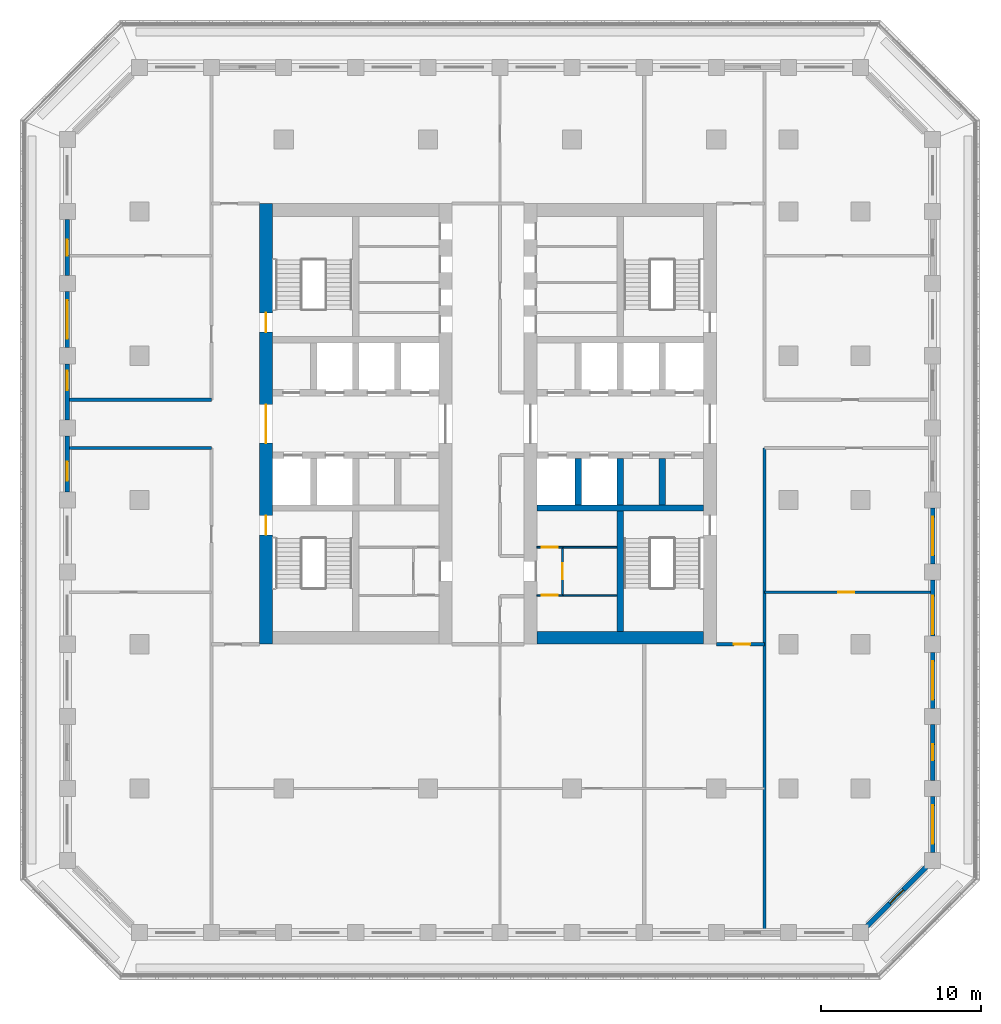
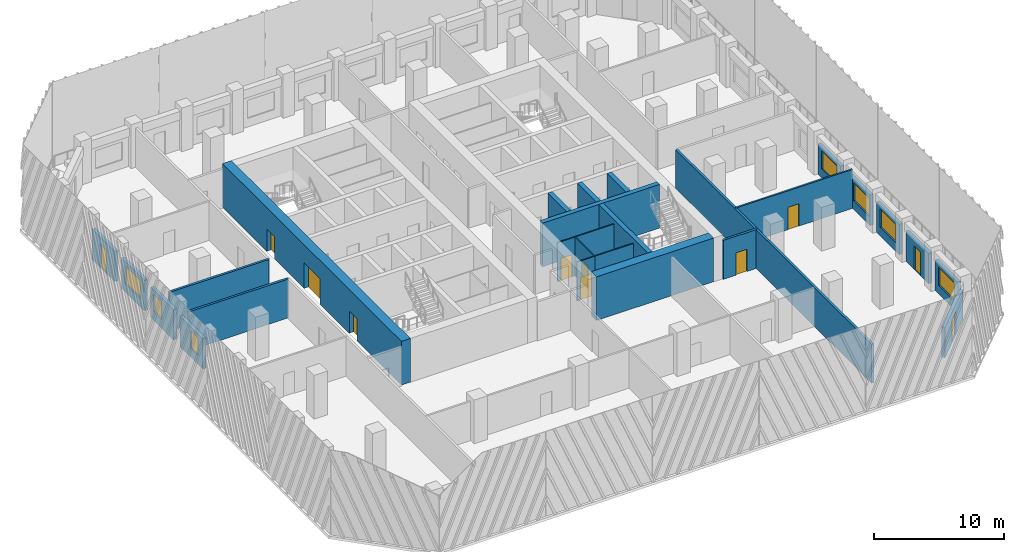
# One storey, part 4 of 16: 27 walls, 11 doors, 7 windows, 18 openings.
"""IFC4 building model written with IfcOpenShell, lengths in metres."""

import ifcopenshell
import ifcopenshell.guid

model = None  # the IFC model being written
_history = None  # IfcOwnerHistory: only IFC2X3 demands one
_inside = {}  # id of a spatial element -> (the spatial element, [elements in it])
_under = {}  # id of a project, library or spatial element -> (it, [spatial elements below it])
_declared = {}  # id of a project -> (the project, [libraries it declares])
_typed = {}  # id of a type object -> (the type object, [elements of that type])
_made_of = {}  # id of a material, layer set ... -> (it, [elements and type objects made of it])


def new_model(schema):
    """Start an empty IFC model of exactly this schema.

    Asked for "IFC4X3", IfcOpenShell would pick the latest addendum, in which some entities
    have other attributes; the version numbers below select the first issue.
    IFC2X3 requires an IfcOwnerHistory on every rooted entity: one is made here for all.
    """
    global model, _history
    if schema == "IFC4X3":
        model = ifcopenshell.file(schema_version=(4, 3, 0, 0))
    else:
        model = ifcopenshell.file(schema=schema)
    _inside.clear()
    _under.clear()
    _declared.clear()
    _typed.clear()
    _made_of.clear()
    _history = None
    if model.schema == "IFC2X3":
        org = make("IfcOrganization", Name="unknown")
        user = make(
            "IfcPersonAndOrganization",
            ThePerson=make("IfcPerson", FamilyName="unknown"),
            TheOrganization=org,
        )
        app = make(
            "IfcApplication",
            ApplicationDeveloper=org,
            Version="unknown",
            ApplicationFullName="unknown",
            ApplicationIdentifier="unknown",
        )
        _history = make(
            "IfcOwnerHistory",
            OwningUser=user,
            OwningApplication=app,
            ChangeAction="ADDED",
            CreationDate=0,
        )
    return model


def make(cls, **values):
    """One entity of the class cls with the attributes given. An attribute that is None is left unset."""
    return model.create_entity(
        cls, **{name: value for name, value in values.items() if value is not None}
    )


def rooted(cls, **values):
    """An entity with a GlobalId (a new one), such as an element, a storey or a relation."""
    return make(cls, GlobalId=ifcopenshell.guid.new(), OwnerHistory=_history, **values)


def si_unit(unit_type, name, prefix=None):
    """IfcSIUnit, for example si_unit("LENGTHUNIT", "METRE", prefix="MILLI")."""
    return make("IfcSIUnit", UnitType=unit_type, Prefix=prefix, Name=name)


def assignment(units):
    """IfcUnitAssignment: the units of a project."""
    return None if units is None else make("IfcUnitAssignment", Units=units)


def point(xyz):
    """IfcCartesianPoint."""
    return None if xyz is None else make("IfcCartesianPoint", Coordinates=xyz)


def direction(xyz):
    """IfcDirection."""
    return None if xyz is None else make("IfcDirection", DirectionRatios=xyz)


def frame(location, z_axis=None, x_axis=None):
    """IfcAxis2Placement3D, a coordinate frame: its origin and axes. An axis left out is left unset."""
    return make(
        "IfcAxis2Placement3D",
        Location=point(location),
        Axis=direction(z_axis),
        RefDirection=direction(x_axis),
    )


def frame_2d(location, x_axis=None):
    """IfcAxis2Placement2D, a coordinate frame in the plane: its origin and x axis."""
    return make(
        "IfcAxis2Placement2D", Location=point(location), RefDirection=direction(x_axis)
    )


def origin():
    """The frame at (0, 0, 0) with its axes left unset."""
    return frame((0.0, 0.0, 0.0))


def place(relative_to, where):
    """IfcLocalPlacement: puts the frame where relative to a parent placement (None: the world)."""
    return make(
        "IfcLocalPlacement", PlacementRelTo=relative_to, RelativePlacement=where
    )


def context(
    kind, dimensions, precision=None, world=None, true_north=None, identifier=None
):
    """IfcGeometricRepresentationContext, for example the 3D "Model" context."""
    return make(
        "IfcGeometricRepresentationContext",
        ContextIdentifier=identifier,
        ContextType=kind,
        CoordinateSpaceDimension=dimensions,
        Precision=precision,
        WorldCoordinateSystem=world,
        TrueNorth=true_north,
    )


def subcontext(parent, identifier, kind, view, scale=None):
    """IfcGeometricRepresentationSubContext, for example "Body" below "Model"."""
    return make(
        "IfcGeometricRepresentationSubContext",
        ContextIdentifier=identifier,
        ContextType=kind,
        ParentContext=parent,
        TargetScale=scale,
        TargetView=view,
    )


def project(units=None, contexts=None):
    """IfcProject with its units and contexts."""
    return rooted(
        "IfcProject",
        Name="project",
        RepresentationContexts=contexts,
        UnitsInContext=assignment(units),
    )


def spatial(cls, under=None, at=None, **own):
    """A site, building, storey or space (cls), placed at a placement, below another one or the project."""
    s = rooted(cls, ObjectPlacement=at, **own)
    if under is not None:
        _under.setdefault(under.id(), (under, []))[1].append(s)
    return s


def profile(cls, at=None, kind="AREA", **sizes):
    """A parametric profile (cls). Its sizes go by their IFC names, for example OverallWidth=200.0."""
    return make(cls, ProfileType=kind, Position=at, **sizes)


def rectangle(**sizes):
    """IfcRectangleProfileDef."""
    return profile("IfcRectangleProfileDef", **sizes)


def extrude(swept, where, along, depth):
    """IfcExtrudedAreaSolid: the profile swept, set in the frame where, extruded along a direction by depth."""
    return make(
        "IfcExtrudedAreaSolid",
        SweptArea=swept,
        Position=where,
        ExtrudedDirection=direction(along),
        Depth=depth,
    )


def shape(context_of_items, identifier, shape_type, items):
    """IfcShapeRepresentation: the items that make up one representation, for example the "Body"."""
    return make(
        "IfcShapeRepresentation",
        ContextOfItems=context_of_items,
        RepresentationIdentifier=identifier,
        RepresentationType=shape_type,
        Items=items,
    )


def material(Name=None, Category=None):
    """IfcMaterial."""
    return make("IfcMaterial", Name=Name, Category=Category)


def layer(
    of_material, thickness, ventilated=None, Name=None, Category=None, Priority=None
):
    """IfcMaterialLayer: one layer of a wall or slab, of a material (None: an air gap)."""
    return make(
        "IfcMaterialLayer",
        Material=of_material,
        LayerThickness=thickness,
        IsVentilated=ventilated,
        Name=Name,
        Category=Category,
        Priority=Priority,
    )


def layer_set(layers, Name=None):
    """IfcMaterialLayerSet."""
    return make("IfcMaterialLayerSet", MaterialLayers=layers, LayerSetName=Name)


def made_of(thing, what):
    """Note that an element or type object is made of a material, layer set ...; save() writes the relation."""
    if what is not None:
        _made_of.setdefault(what.id(), (what, []))[1].append(thing)
    return thing


def type_object(cls, material=None, **own):
    """A type object (cls), such as IfcWallType, which elements share."""
    return made_of(rooted(cls, **own), material)


def element(
    cls,
    number,
    at=None,
    inside=None,
    cuts=None,
    type_object=None,
    material=None,
    context=None,
    identifier="Body",
    shape_type=None,
    held_by="IfcProductDefinitionShape",
    body=None,
    shapes=None,
    **own,
):
    """One element of the class cls, such as IfcWall. Its Tag is "e" and its number.

    at: its placement. inside: the storey or other place that contains it. cuts: it is an
    opening in that element (IfcRelVoidsElement). A single representation is given by context,
    identifier, shape_type and body (its items); several are given by shapes. held_by: the class
    of the entity that holds the representations. save() writes the other relations.
    """
    e = rooted(cls, Tag="e%d" % number, ObjectPlacement=at, **own)
    if body is not None:
        shapes = [shape(context, identifier, shape_type, body)]
    if shapes is not None:
        e.Representation = make(held_by, Representations=shapes)
    if inside is not None:
        _inside.setdefault(inside.id(), (inside, []))[1].append(e)
    if cuts is not None:
        rooted(
            "IfcRelVoidsElement", RelatingBuildingElement=cuts, RelatedOpeningElement=e
        )
    if type_object is not None:
        _typed.setdefault(type_object.id(), (type_object, []))[1].append(e)
    return made_of(e, material)


def fill(opening, filler):
    """IfcRelFillsElement: the door or window that sits in an opening."""
    return rooted(
        "IfcRelFillsElement",
        RelatingOpeningElement=opening,
        RelatedBuildingElement=filler,
    )


def aggregate(whole, parts):
    """IfcRelAggregates: a whole, such as a stair, and the parts it consists of."""
    return rooted("IfcRelAggregates", RelatingObject=whole, RelatedObjects=parts)


def save(model, path):
    """Write the relations noted so far, then the file.

    IfcRelAggregates (storeys below a building ...), IfcRelContainedInSpatialStructure (elements
    in a storey), IfcRelDefinesByType, IfcRelAssociatesMaterial and IfcRelDeclares: one each for
    every whole, place, type object, material and project.
    """
    for whole, parts in _under.values():
        aggregate(whole, parts)
    for where, things in _inside.values():
        rooted(
            "IfcRelContainedInSpatialStructure",
            RelatedElements=things,
            RelatingStructure=where,
        )
    for kind, things in _typed.values():
        rooted("IfcRelDefinesByType", RelatedObjects=things, RelatingType=kind)
    for what, things in _made_of.values():
        rooted("IfcRelAssociatesMaterial", RelatedObjects=things, RelatingMaterial=what)
    for by, libraries in _declared.values():
        rooted("IfcRelDeclares", RelatingContext=by, RelatedDefinitions=libraries)
    model.write(path)


model = new_model("IFC4")

# Units and contexts
model_context = context("Model", 3, precision=1e-05, world=origin(), true_north=direction((0.0, 1.0)))
body_context = subcontext(model_context, "Body", "Model", "MODEL_VIEW")
ifc_project = project(units=[si_unit("LENGTHUNIT", "METRE"), si_unit("AREAUNIT", "SQUARE_METRE"), si_unit("VOLUMEUNIT", "CUBIC_METRE"), si_unit("PLANEANGLEUNIT", "RADIAN"), si_unit("MASSUNIT", "GRAM", prefix="KILO")], contexts=[model_context])

# Site, building, storey
site_placement = place(None, origin())
site = spatial("IfcSite", under=ifc_project, at=site_placement, CompositionType="ELEMENT")
building_placement = place(site_placement, origin())
building = spatial("IfcBuilding", under=site, at=building_placement, Name="Corbel Stack Research Tower", CompositionType="ELEMENT")
storey_placement = place(building_placement, frame((0.0, 0.0, 199.699951171875)))
storey = spatial("IfcBuildingStorey", under=building, at=storey_placement, Name="L45", CompositionType="ELEMENT", Elevation=199.699951171875)

# Walls
ifc_material_1 = material(Name="Concrete C60/75", Category="concrete")
ifc_layer_1 = layer(ifc_material_1, 0.39990234375)
ifc_layer_set_1 = layer_set([ifc_layer_1], Name="Concrete C60/75")
wall_type_1 = type_object("IfcWallType", Name="CW-400-60", PredefinedType="SHEAR", material=ifc_layer_set_1)
wall_1_placement = place(storey_placement, frame((6.800048828125, -0.5, 0.0), z_axis=(0.0, 0.0, 1.0), x_axis=(1.0, 0.0, 0.0)))
element("IfcWall", 1, at=wall_1_placement, inside=storey, type_object=wall_type_1, Name="East core wall, south row back L45", PredefinedType="SHEAR", context=body_context, shape_type="SweptSolid", body=[
    extrude(rectangle(XDim=10.39990234375, YDim=0.39990234375, at=frame_2d((5.199951171875, 0.0))), origin(), (0.0, 0.0, 1.0), 4.10009765625),
])
for number, where, z_axis, x_axis, name in (
    (2, (9.375, -0.300048828125, 0.0), (0.0, 0.0, 1.0), (0.0, 1.0, 0.0), "East core wall, south shaft 1 L45"),
    (3, (12.0, -0.300048828125, 0.0), (0.0, 0.0, 1.0), (0.0, 1.0, 0.0), "East core wall, south shaft 2 L45"),
    (4, (14.625, -0.300048828125, 0.0), (0.0, 0.0, 1.0), (0.0, 1.0, 0.0), "East core wall, south shaft 3 L45"),
):
    element("IfcWall", number, at=place(storey_placement, frame(where, z_axis=z_axis, x_axis=x_axis)), inside=storey, type_object=wall_type_1, Name=name, PredefinedType="SHEAR", context=body_context, shape_type="SweptSolid", body=[
        extrude(rectangle(XDim=2.900146484375, YDim=0.39990234375, at=frame_2d((1.4501953125, 0.0))), origin(), (0.0, 0.0, 1.0), 4.10009765625),
    ])
wall_2_placement = place(storey_placement, frame((12.0, -8.199951171875, 0.0), z_axis=(0.0, 0.0, 1.0), x_axis=(0.0, 1.0, 0.0)))
element("IfcWall", 5, at=wall_2_placement, inside=storey, type_object=wall_type_1, Name="East core wall, south stair and WC L45", PredefinedType="SHEAR", context=body_context, shape_type="SweptSolid", body=[
    extrude(rectangle(XDim=7.5, YDim=0.39990234375, at=frame_2d((3.75, 0.0))), origin(), (0.0, 0.0, 1.0), 4.10009765625),
])

# Wall, openings, doors
ifc_material_2 = material(Name="Concrete C60/75", Category="concrete")
ifc_layer_2 = layer(ifc_material_2, 0.800048828125)
ifc_layer_set_2 = layer_set([ifc_layer_2], Name="Concrete C60/75")
wall_type_2 = type_object("IfcWallType", Name="CW-800-60", PredefinedType="SHEAR", material=ifc_layer_set_2)
wall_3_placement = place(storey_placement, frame((-10.10009765625, -9.0, 0.0), z_axis=(0.0, 0.0, 1.0), x_axis=(0.0, 1.0, 0.0)))
wall_3 = element("IfcWall", 6, at=wall_3_placement, inside=storey, type_object=wall_type_2, Name="West core wall, west face L45", PredefinedType="SHEAR", context=body_context, shape_type="SweptSolid", body=[
    extrude(rectangle(XDim=27.5, YDim=0.800048828125, at=frame_2d((13.75, 0.0))), origin(), (0.0, 0.0, 1.0), 4.10009765625),
])
opening_1_placement = place(wall_3_placement, frame((12.550048828125, 0.0, 0.0)))
opening_1 = element("IfcOpeningElement", 7, at=opening_1_placement, cuts=wall_3, Name="Opening CD-W-W", PredefinedType="OPENING", context=body_context, shape_type="SweptSolid", body=[
    extrude(rectangle(XDim=2.39990234375, YDim=2.39990234375, at=frame_2d((1.199951171875, 1.199951171875))), frame((0.0, 0.409912109375, 0.0), z_axis=(0.0, -1.0, 0.0), x_axis=(1.0, 0.0, 0.0)), (0.0, 0.0, 1.0), 0.820068359375),
])
opening_2_placement = place(wall_3_placement, frame((6.824951171875, 0.0, 0.0)))
opening_2 = element("IfcOpeningElement", 8, at=opening_2_placement, cuts=wall_3, Name="Opening SD-ST-W1", PredefinedType="OPENING", context=body_context, shape_type="SweptSolid", body=[
    extrude(rectangle(XDim=1.199951171875, YDim=2.10009765625, at=frame_2d((0.60009765625, 1.050048828125))), frame((0.0, 0.409912109375, 0.0), z_axis=(0.0, -1.0, 0.0), x_axis=(1.0, 0.0, 0.0)), (0.0, 0.0, 1.0), 0.820068359375),
])
opening_3_placement = place(wall_3_placement, frame((19.47509765625, 0.0, 0.0)))
opening_3 = element("IfcOpeningElement", 9, at=opening_3_placement, cuts=wall_3, Name="Opening SD-ST-W2", PredefinedType="OPENING", context=body_context, shape_type="SweptSolid", body=[
    extrude(rectangle(XDim=1.199951171875, YDim=2.10009765625, at=frame_2d((0.60009765625, 1.050048828125))), frame((0.0, 0.409912109375, 0.0), z_axis=(0.0, -1.0, 0.0), x_axis=(1.0, 0.0, 0.0)), (0.0, 0.0, 1.0), 0.820068359375),
])
ifc_material_3 = material(Name="Painted steel fire door", Category="steel")
door_type_1 = type_object("IfcDoorType", Name="Lobby door pair 2400 x 2400 FD30S", OperationType="DOUBLE_DOOR_DOUBLE_SWING", PredefinedType="DOOR", material=ifc_material_3)
door_1_placement = place(opening_1_placement, origin())
door_1 = element("IfcDoor", 10, at=door_1_placement, inside=storey, type_object=door_type_1, Name="Lift lobby door W core W", OperationType="DOUBLE_DOOR_DOUBLE_SWING", OverallHeight=2.39990234375, OverallWidth=2.39990234375, PredefinedType="DOOR", context=body_context, shape_type="SweptSolid", body=[
    extrude(rectangle(XDim=2.39990234375, YDim=2.39990234375, at=frame_2d((1.199951171875, 1.199951171875))), frame((0.0, 0.02490234375, 0.0), z_axis=(0.0, -1.0, 0.0), x_axis=(1.0, 0.0, 0.0)), (0.0, 0.0, 1.0), 0.050048828125),
])
fill(opening_1, door_1)
ifc_material_4 = material(Name="Painted steel fire door", Category="steel")
door_type_2 = type_object("IfcDoorType", Name="Stair door 1200 x 2100 FD90 left hand", OperationType="SINGLE_SWING_LEFT", PredefinedType="DOOR", material=ifc_material_4)
door_2_placement = place(opening_2_placement, origin())
door_2 = element("IfcDoor", 11, at=door_2_placement, inside=storey, type_object=door_type_2, Name="Stair door ST-W1", OperationType="SINGLE_SWING_LEFT", OverallHeight=2.10009765625, OverallWidth=1.199951171875, PredefinedType="DOOR", context=body_context, shape_type="SweptSolid", body=[
    extrude(rectangle(XDim=1.199951171875, YDim=2.10009765625, at=frame_2d((0.60009765625, 1.050048828125))), frame((0.0, 0.02490234375, 0.0), z_axis=(0.0, -1.0, 0.0), x_axis=(1.0, 0.0, 0.0)), (0.0, 0.0, 1.0), 0.050048828125),
])
fill(opening_2, door_2)
door_3_placement = place(opening_3_placement, origin())
door_3 = element("IfcDoor", 12, at=door_3_placement, inside=storey, type_object=door_type_2, Name="Stair door ST-W2", OperationType="SINGLE_SWING_LEFT", OverallHeight=2.10009765625, OverallWidth=1.199951171875, PredefinedType="DOOR", context=body_context, shape_type="SweptSolid", body=[
    extrude(rectangle(XDim=1.199951171875, YDim=2.10009765625, at=frame_2d((0.60009765625, 1.050048828125))), frame((0.0, 0.02490234375, 0.0), z_axis=(0.0, -1.0, 0.0), x_axis=(1.0, 0.0, 0.0)), (0.0, 0.0, 1.0), 0.050048828125),
])
fill(opening_3, door_3)

# Wall
wall_4_placement = place(storey_placement, frame((6.800048828125, -8.60009765625, 0.0), z_axis=(0.0, 0.0, 1.0), x_axis=(1.0, 0.0, 0.0)))
element("IfcWall", 13, at=wall_4_placement, inside=storey, type_object=wall_type_2, Name="East core wall, south end L45", PredefinedType="SHEAR", context=body_context, shape_type="SweptSolid", body=[
    extrude(rectangle(XDim=10.39990234375, YDim=0.800048828125, at=frame_2d((5.199951171875, 0.0))), origin(), (0.0, 0.0, 1.0), 4.10009765625),
])

# Wall, opening, door
ifc_material_5 = material(Name="Gypsum board")
ifc_layer_3 = layer(ifc_material_5, 0.10009765625)
ifc_layer_set_3 = layer_set([ifc_layer_3], Name="Gypsum board")
wall_type_3 = type_object("IfcWallType", Name="Core partition 100", PredefinedType="PARTITIONING", material=ifc_layer_set_3)
wall_5_placement = place(storey_placement, frame((6.800048828125, -5.949951171875, 0.0), z_axis=(0.0, 0.0, 1.0), x_axis=(1.0, 0.0, 0.0)))
wall_5 = element("IfcWall", 14, at=wall_5_placement, inside=storey, type_object=wall_type_3, Name="Core partition E", PredefinedType="PARTITIONING", context=body_context, shape_type="SweptSolid", body=[
    extrude(rectangle(XDim=1.599853515625, YDim=0.10009765625, at=frame_2d((0.7998046875, 0.0))), origin(), (0.0, 0.0, 1.0), 3.650146484375),
])
opening_4_placement = place(wall_5_placement, frame((0.300048828125, 0.0, 0.0)))
opening_4 = element("IfcOpeningElement", 15, at=opening_4_placement, cuts=wall_5, Name="Opening CR-E36-W2-1000", PredefinedType="OPENING", context=body_context, shape_type="SweptSolid", body=[
    extrude(rectangle(XDim=1.0, YDim=2.10009765625, at=frame_2d((0.5, 1.050048828125))), frame((0.0, 0.06005859375, 0.0), z_axis=(0.0, -1.0, 0.0), x_axis=(1.0, 0.0, 0.0)), (0.0, 0.0, 1.0), 0.1201171875),
])
ifc_material_6 = material(Name="Painted timber door", Category="wood")
door_type_3 = type_object("IfcDoorType", Name="WC door 1000 x 2100 left hand", OperationType="SINGLE_SWING_LEFT", PredefinedType="DOOR", material=ifc_material_6)
door_4_placement = place(opening_4_placement, origin())
door_4 = element("IfcDoor", 16, at=door_4_placement, inside=storey, type_object=door_type_3, Name="Men's WC door E core", OperationType="SINGLE_SWING_LEFT", OverallHeight=2.10009765625, OverallWidth=1.0, PredefinedType="DOOR", context=body_context, shape_type="SweptSolid", body=[
    extrude(rectangle(XDim=1.0, YDim=2.10009765625, at=frame_2d((0.5, 1.050048828125))), frame((0.0, 0.02490234375, 0.0), z_axis=(0.0, -1.0, 0.0), x_axis=(1.0, 0.0, 0.0)), (0.0, 0.0, 1.0), 0.050048828125),
])
fill(opening_4, door_4)

wall_6_placement = place(storey_placement, frame((6.800048828125, -2.949951171875, 0.0), z_axis=(0.0, 0.0, 1.0), x_axis=(1.0, 0.0, 0.0)))
wall_6 = element("IfcWall", 17, at=wall_6_placement, inside=storey, type_object=wall_type_3, Name="Core partition E", PredefinedType="PARTITIONING", context=body_context, shape_type="SweptSolid", body=[
    extrude(rectangle(XDim=1.599853515625, YDim=0.10009765625, at=frame_2d((0.7998046875, 0.0))), origin(), (0.0, 0.0, 1.0), 3.650146484375),
])
opening_5_placement = place(wall_6_placement, frame((0.300048828125, 0.0, 0.0)))
opening_5 = element("IfcOpeningElement", 18, at=opening_5_placement, cuts=wall_6, Name="Opening CR-E36-W3-1000", PredefinedType="OPENING", context=body_context, shape_type="SweptSolid", body=[
    extrude(rectangle(XDim=1.0, YDim=2.10009765625, at=frame_2d((0.5, 1.050048828125))), frame((0.0, 0.06005859375, 0.0), z_axis=(0.0, -1.0, 0.0), x_axis=(1.0, 0.0, 0.0)), (0.0, 0.0, 1.0), 0.1201171875),
])
ifc_material_7 = material(Name="Painted timber door", Category="wood")
door_type_4 = type_object("IfcDoorType", Name="WC door 1000 x 2100 right hand", OperationType="SINGLE_SWING_RIGHT", PredefinedType="DOOR", material=ifc_material_7)
door_5_placement = place(opening_5_placement, origin())
door_5 = element("IfcDoor", 19, at=door_5_placement, inside=storey, type_object=door_type_4, Name="Women's WC door E core", OperationType="SINGLE_SWING_RIGHT", OverallHeight=2.10009765625, OverallWidth=1.0, PredefinedType="DOOR", context=body_context, shape_type="SweptSolid", body=[
    extrude(rectangle(XDim=1.0, YDim=2.10009765625, at=frame_2d((0.5, 1.050048828125))), frame((0.0, 0.02490234375, 0.0), z_axis=(0.0, -1.0, 0.0), x_axis=(1.0, 0.0, 0.0)), (0.0, 0.0, 1.0), 0.050048828125),
])
fill(opening_5, door_5)

wall_7_placement = place(storey_placement, frame((8.39990234375, -5.949951171875, 0.0), z_axis=(0.0, 0.0, 1.0), x_axis=(0.0, 1.0, 0.0)))
wall_7 = element("IfcWall", 20, at=wall_7_placement, inside=storey, type_object=wall_type_3, Name="Core partition E", PredefinedType="PARTITIONING", context=body_context, shape_type="SweptSolid", body=[
    extrude(rectangle(XDim=3.0, YDim=0.10009765625, at=frame_2d((1.5, 0.0))), origin(), (0.0, 0.0, 1.0), 3.650146484375),
])
opening_6_placement = place(wall_7_placement, frame((1.0, 0.0, 0.0)))
opening_6 = element("IfcOpeningElement", 21, at=opening_6_placement, cuts=wall_7, Name="Opening CR-E36-W4-1000", PredefinedType="OPENING", context=body_context, shape_type="SweptSolid", body=[
    extrude(rectangle(XDim=1.0, YDim=2.10009765625, at=frame_2d((0.5, 1.050048828125))), frame((0.0, 0.06005859375, 0.0), z_axis=(0.0, -1.0, 0.0), x_axis=(1.0, 0.0, 0.0)), (0.0, 0.0, 1.0), 0.1201171875),
])
door_6_placement = place(opening_6_placement, origin())
door_6 = element("IfcDoor", 22, at=door_6_placement, inside=storey, type_object=door_type_3, Name="Accessible WC door E core", OperationType="SINGLE_SWING_LEFT", OverallHeight=2.10009765625, OverallWidth=1.0, PredefinedType="DOOR", context=body_context, shape_type="SweptSolid", body=[
    extrude(rectangle(XDim=1.0, YDim=2.10009765625, at=frame_2d((0.5, 1.050048828125))), frame((0.0, 0.02490234375, 0.0), z_axis=(0.0, -1.0, 0.0), x_axis=(1.0, 0.0, 0.0)), (0.0, 0.0, 1.0), 0.050048828125),
])
fill(opening_6, door_6)

# Walls
for number, where, z_axis, x_axis, name in (
    (23, (8.39990234375, -5.949951171875, 0.0), (0.0, 0.0, 1.0), (1.0, 0.0, 0.0), "Core partition E"),
    (24, (8.39990234375, -2.949951171875, 0.0), (0.0, 0.0, 1.0), (1.0, 0.0, 0.0), "Core partition E"),
):
    element("IfcWall", number, at=place(storey_placement, frame(where, z_axis=z_axis, x_axis=x_axis)), inside=storey, type_object=wall_type_3, Name=name, PredefinedType="PARTITIONING", context=body_context, shape_type="SweptSolid", body=[
        extrude(rectangle(XDim=3.400146484375, YDim=0.10009765625, at=frame_2d((1.7001953125, 0.0))), origin(), (0.0, 0.0, 1.0), 3.650146484375),
    ])
ifc_material_8 = material(Name="Fire-rated gypsum board partition on steel studs", Category="steel")
ifc_layer_4 = layer(ifc_material_8, 0.199951171875)
ifc_layer_set_4 = layer_set([ifc_layer_4], Name="Fire-rated gypsum board partition on steel studs")
wall_type_4 = type_object("IfcWallType", Name="Fire-rated partition 200 EI 60", PredefinedType="PARTITIONING", material=ifc_layer_set_4)
wall_8_placement = place(storey_placement, frame((21.0, -26.85009765625, 0.0), z_axis=(0.0, 0.0, 1.0), x_axis=(0.0, 1.0, 0.0)))
element("IfcWall", 25, at=wall_8_placement, inside=storey, type_object=wall_type_4, Name="Partition L45-010", PredefinedType="PARTITIONING", context=body_context, shape_type="SweptSolid", body=[
    extrude(rectangle(XDim=30.10009765625, YDim=0.199951171875, at=frame_2d((15.050048828125, 0.0))), origin(), (0.0, 0.0, 1.0), 3.650146484375),
])

# Wall, opening, door
wall_9_placement = place(storey_placement, frame((21.0, -9.0, 0.0), z_axis=(0.0, 0.0, 1.0), x_axis=(-1.0, 0.0, 0.0)))
wall_9 = element("IfcWall", 26, at=wall_9_placement, inside=storey, type_object=wall_type_4, Name="Partition L45-019", PredefinedType="PARTITIONING", context=body_context, shape_type="SweptSolid", body=[
    extrude(rectangle(XDim=3.0, YDim=0.199951171875, at=frame_2d((1.5, 0.0))), origin(), (0.0, 0.0, 1.0), 3.650146484375),
])
opening_7_placement = place(wall_9_placement, frame((0.89990234375, 0.0, 0.0)))
opening_7 = element("IfcOpeningElement", 27, at=opening_7_placement, cuts=wall_9, Name="Opening B6V0-007", PredefinedType="OPENING", context=body_context, shape_type="SweptSolid", body=[
    extrude(rectangle(XDim=1.0, YDim=2.10009765625, at=frame_2d((0.5, 1.050048828125))), frame((0.0, 0.10986328125, 0.0), z_axis=(0.0, -1.0, 0.0), x_axis=(1.0, 0.0, 0.0)), (0.0, 0.0, 1.0), 0.219970703125),
])
ifc_material_9 = material(Name="Painted steel fire door", Category="steel")
door_type_5 = type_object("IfcDoorType", Name="Fire door FD30S 1000 x 2100", OperationType="NOTDEFINED", PredefinedType="DOOR", material=ifc_material_9)
door_7_placement = place(opening_7_placement, origin())
door_7 = element("IfcDoor", 28, at=door_7_placement, inside=storey, type_object=door_type_5, Name="Door B6V0-007", OperationType="SINGLE_SWING_LEFT", OverallHeight=2.10009765625, OverallWidth=1.0, PredefinedType="DOOR", context=body_context, shape_type="SweptSolid", body=[
    extrude(rectangle(XDim=1.0, YDim=2.10009765625, at=frame_2d((0.5, 1.050048828125))), frame((0.0, 0.02490234375, 0.0), z_axis=(0.0, -1.0, 0.0), x_axis=(1.0, 0.0, 0.0)), (0.0, 0.0, 1.0), 0.050048828125),
])
fill(opening_7, door_7)

# Walls
for number, where, z_axis, x_axis, name in (
    (29, (-22.35009765625, 3.25, 0.0), (0.0, 0.0, 1.0), (1.0, 0.0, 0.0), "Partition L45-025"),
    (30, (-22.35009765625, 6.25, 0.0), (0.0, 0.0, 1.0), (1.0, 0.0, 0.0), "Partition L45-027"),
):
    element("IfcWall", number, at=place(storey_placement, frame(where, z_axis=z_axis, x_axis=x_axis)), inside=storey, type_object=wall_type_4, Name=name, PredefinedType="PARTITIONING", context=body_context, shape_type="SweptSolid", body=[
        extrude(rectangle(XDim=8.85009765625, YDim=0.199951171875, at=frame_2d((4.425048828125, 0.0))), origin(), (0.0, 0.0, 1.0), 3.650146484375),
    ])

# Wall, opening, door
ifc_material_10 = material(Name="Gypsum board partition on steel studs", Category="steel")
ifc_layer_5 = layer(ifc_material_10, 0.14990234375)
ifc_layer_set_5 = layer_set([ifc_layer_5], Name="Gypsum board partition on steel studs")
wall_type_5 = type_object("IfcWallType", Name="Partition 150", PredefinedType="PARTITIONING", material=ifc_layer_set_5)
wall_10_placement = place(storey_placement, frame((31.35009765625, -5.75, 0.0), z_axis=(0.0, 0.0, 1.0), x_axis=(-1.0, 0.0, 0.0)))
wall_10 = element("IfcWall", 31, at=wall_10_placement, inside=storey, type_object=wall_type_5, Name="Partition L45-022", PredefinedType="PARTITIONING", context=body_context, shape_type="SweptSolid", body=[
    extrude(rectangle(XDim=10.35009765625, YDim=0.14990234375, at=frame_2d((5.175048828125, 0.0))), origin(), (0.0, 0.0, 1.0), 3.650146484375),
])
opening_8_placement = place(wall_10_placement, frame((4.75, 0.0, 0.0)))
opening_8 = element("IfcOpeningElement", 32, at=opening_8_placement, cuts=wall_10, Name="Opening B6V0-009", PredefinedType="OPENING", context=body_context, shape_type="SweptSolid", body=[
    extrude(rectangle(XDim=1.0, YDim=2.10009765625, at=frame_2d((0.5, 1.050048828125))), frame((0.0, 0.0849609375, 0.0), z_axis=(0.0, -1.0, 0.0), x_axis=(1.0, 0.0, 0.0)), (0.0, 0.0, 1.0), 0.169921875),
])
ifc_material_11 = material(Name="Painted timber door", Category="wood")
door_type_6 = type_object("IfcDoorType", Name="Single door 1000 x 2100", OperationType="NOTDEFINED", PredefinedType="DOOR", material=ifc_material_11)
door_8_placement = place(opening_8_placement, origin())
door_8 = element("IfcDoor", 33, at=door_8_placement, inside=storey, type_object=door_type_6, Name="Door B6V0-009", OperationType="SINGLE_SWING_RIGHT", OverallHeight=2.10009765625, OverallWidth=1.0, PredefinedType="DOOR", context=body_context, shape_type="SweptSolid", body=[
    extrude(rectangle(XDim=1.0, YDim=2.10009765625, at=frame_2d((0.5, 1.050048828125))), frame((0.0, 0.02490234375, 0.0), z_axis=(0.0, -1.0, 0.0), x_axis=(1.0, 0.0, 0.0)), (0.0, 0.0, 1.0), 0.050048828125),
])
fill(opening_8, door_8)

ifc_material_12 = material(Name="Concrete C45/55", Category="concrete")
ifc_layer_6 = layer(ifc_material_12, 0.300048828125)
ifc_layer_set_6 = layer_set([ifc_layer_6], Name="Concrete C45/55")
wall_type_6 = type_object("IfcWallType", Name="Terracotta-faced concrete wall 300", PredefinedType="SOLIDWALL", material=ifc_layer_set_6)
wall_11_placement = place(storey_placement, frame((31.106201171875, -22.893798828125, 0.0), z_axis=(0.0, 0.0, 1.0), x_axis=(-0.707106781187, -0.707106781187, 0.0)))
wall_11 = element("IfcWall", 34, at=wall_11_placement, inside=storey, type_object=wall_type_6, Name="Facade wall L45 SE01", PredefinedType="SOLIDWALL", context=body_context, shape_type="SweptSolid", body=[
    extrude(rectangle(XDim=5.250244140625, YDim=0.300048828125, at=frame_2d((2.625, 0.0))), origin(), (0.0, 0.0, 1.0), 2.85009765625),
])
opening_9_placement = place(wall_11_placement, frame((2.02490234375, 0.0, 0.0)))
opening_9 = element("IfcOpeningElement", 35, at=opening_9_placement, cuts=wall_11, Name="Opening L45-B03", PredefinedType="OPENING", context=body_context, shape_type="SweptSolid", body=[
    extrude(rectangle(XDim=1.199951171875, YDim=2.199951171875, at=frame_2d((0.60009765625, 1.10009765625))), frame((0.0, 0.159912109375, 0.0), z_axis=(0.0, -1.0, 0.0), x_axis=(1.0, 0.0, 0.0)), (0.0, 0.0, 1.0), 0.320068359375),
])
ifc_material_13 = material(Name="Aluminium frame, clear double glazing", Category="aluminium")
door_type_7 = type_object("IfcDoorType", Name="Balcony door BD2 1200 x 2200", OperationType="NOTDEFINED", PredefinedType="DOOR", material=ifc_material_13)
door_9_placement = place(opening_9_placement, origin())
door_9 = element("IfcDoor", 36, at=door_9_placement, inside=storey, type_object=door_type_7, Name="Balcony door L45-B03", OperationType="SINGLE_SWING_RIGHT", OverallHeight=2.199951171875, OverallWidth=1.199951171875, PredefinedType="DOOR", context=body_context, shape_type="SweptSolid", body=[
    extrude(rectangle(XDim=1.199951171875, YDim=2.199951171875, at=frame_2d((0.60009765625, 1.10009765625))), frame((0.0, 0.02490234375, 0.0), z_axis=(0.0, -1.0, 0.0), x_axis=(1.0, 0.0, 0.0)), (0.0, 0.0, 1.0), 0.050048828125),
])
fill(opening_9, door_9)

# Wall, opening, window
wall_12_placement = place(storey_placement, frame((31.5, -18.5, 0.0), z_axis=(0.0, 0.0, 1.0), x_axis=(0.0, -1.0, 0.0)))
wall_12 = element("IfcWall", 37, at=wall_12_placement, inside=storey, type_object=wall_type_6, Name="Facade wall L45 E01", PredefinedType="SOLIDWALL", context=body_context, shape_type="SweptSolid", body=[
    extrude(rectangle(XDim=3.5, YDim=0.300048828125, at=frame_2d((1.75, 0.0))), origin(), (0.0, 0.0, 1.0), 2.85009765625),
])
opening_10_placement = place(wall_12_placement, frame((0.550048828125, 0.0, 0.800048828125)))
opening_10 = element("IfcOpeningElement", 38, at=opening_10_placement, cuts=wall_12, Name="Opening W1", PredefinedType="OPENING", context=body_context, shape_type="SweptSolid", body=[
    extrude(rectangle(XDim=2.39990234375, YDim=1.699951171875, at=frame_2d((1.199951171875, 0.85009765625))), frame((0.0, 0.159912109375, 0.0), z_axis=(0.0, -1.0, 0.0), x_axis=(1.0, 0.0, 0.0)), (0.0, 0.0, 1.0), 0.320068359375),
])
ifc_material_14 = material(Name="Aluminium frame, clear double glazing", Category="aluminium")
window_type_1 = type_object("IfcWindowType", Name="Window W1 2400 x 1700", PartitioningType="SINGLE_PANEL", PredefinedType="WINDOW", material=ifc_material_14)
window_1_placement = place(opening_10_placement, origin())
window_1 = element("IfcWindow", 39, at=window_1_placement, inside=storey, type_object=window_type_1, Name="Window W1 L45 E01", OverallHeight=1.699951171875, OverallWidth=2.39990234375, PartitioningType="SINGLE_PANEL", PredefinedType="WINDOW", context=body_context, shape_type="SweptSolid", body=[
    extrude(rectangle(XDim=2.39990234375, YDim=1.699951171875, at=frame_2d((1.199951171875, 0.85009765625))), frame((0.0, 0.030029296875, 0.0), z_axis=(0.0, -1.0, 0.0), x_axis=(1.0, 0.0, 0.0)), (0.0, 0.0, 1.0), 0.06005859375),
])
fill(opening_10, window_1)

# Wall, opening, door
wall_13_placement = place(storey_placement, frame((31.5, -14.0, 0.0), z_axis=(0.0, 0.0, 1.0), x_axis=(0.0, -1.0, 0.0)))
wall_13 = element("IfcWall", 40, at=wall_13_placement, inside=storey, type_object=wall_type_6, Name="Facade wall L45 E02", PredefinedType="SOLIDWALL", context=body_context, shape_type="SweptSolid", body=[
    extrude(rectangle(XDim=3.5, YDim=0.300048828125, at=frame_2d((1.75, 0.0))), origin(), (0.0, 0.0, 1.0), 2.85009765625),
])
opening_11_placement = place(wall_13_placement, frame((1.25, 0.0, 0.0)))
opening_11 = element("IfcOpeningElement", 41, at=opening_11_placement, cuts=wall_13, Name="Opening L45-B04", PredefinedType="OPENING", context=body_context, shape_type="SweptSolid", body=[
    extrude(rectangle(XDim=1.0, YDim=2.199951171875, at=frame_2d((0.5, 1.10009765625))), frame((0.0, 0.159912109375, 0.0), z_axis=(0.0, -1.0, 0.0), x_axis=(1.0, 0.0, 0.0)), (0.0, 0.0, 1.0), 0.320068359375),
])
ifc_material_15 = material(Name="Aluminium frame, clear double glazing", Category="aluminium")
door_type_8 = type_object("IfcDoorType", Name="Balcony door BD1 1000 x 2200", OperationType="NOTDEFINED", PredefinedType="DOOR", material=ifc_material_15)
door_10_placement = place(opening_11_placement, origin())
door_10 = element("IfcDoor", 42, at=door_10_placement, inside=storey, type_object=door_type_8, Name="Balcony door L45-B04", OperationType="SINGLE_SWING_LEFT", OverallHeight=2.199951171875, OverallWidth=1.0, PredefinedType="DOOR", context=body_context, shape_type="SweptSolid", body=[
    extrude(rectangle(XDim=1.0, YDim=2.199951171875, at=frame_2d((0.5, 1.10009765625))), frame((0.0, 0.02490234375, 0.0), z_axis=(0.0, -1.0, 0.0), x_axis=(1.0, 0.0, 0.0)), (0.0, 0.0, 1.0), 0.050048828125),
])
fill(opening_11, door_10)

# Wall, opening, window
wall_14_placement = place(storey_placement, frame((31.5, -9.5, 0.0), z_axis=(0.0, 0.0, 1.0), x_axis=(0.0, -1.0, 0.0)))
wall_14 = element("IfcWall", 43, at=wall_14_placement, inside=storey, type_object=wall_type_6, Name="Facade wall L45 E03", PredefinedType="SOLIDWALL", context=body_context, shape_type="SweptSolid", body=[
    extrude(rectangle(XDim=3.5, YDim=0.300048828125, at=frame_2d((1.75, 0.0))), origin(), (0.0, 0.0, 1.0), 2.85009765625),
])
opening_12_placement = place(wall_14_placement, frame((0.550048828125, 0.0, 0.800048828125)))
opening_12 = element("IfcOpeningElement", 44, at=opening_12_placement, cuts=wall_14, Name="Opening W1", PredefinedType="OPENING", context=body_context, shape_type="SweptSolid", body=[
    extrude(rectangle(XDim=2.39990234375, YDim=1.699951171875, at=frame_2d((1.199951171875, 0.85009765625))), frame((0.0, 0.159912109375, 0.0), z_axis=(0.0, -1.0, 0.0), x_axis=(1.0, 0.0, 0.0)), (0.0, 0.0, 1.0), 0.320068359375),
])
window_2_placement = place(opening_12_placement, origin())
window_2 = element("IfcWindow", 45, at=window_2_placement, inside=storey, type_object=window_type_1, Name="Window W1 L45 E03", OverallHeight=1.699951171875, OverallWidth=2.39990234375, PartitioningType="SINGLE_PANEL", PredefinedType="WINDOW", context=body_context, shape_type="SweptSolid", body=[
    extrude(rectangle(XDim=2.39990234375, YDim=1.699951171875, at=frame_2d((1.199951171875, 0.85009765625))), frame((0.0, 0.030029296875, 0.0), z_axis=(0.0, -1.0, 0.0), x_axis=(1.0, 0.0, 0.0)), (0.0, 0.0, 1.0), 0.06005859375),
])
fill(opening_12, window_2)

wall_15_placement = place(storey_placement, frame((31.5, -5.0, 0.0), z_axis=(0.0, 0.0, 1.0), x_axis=(0.0, -1.0, 0.0)))
wall_15 = element("IfcWall", 46, at=wall_15_placement, inside=storey, type_object=wall_type_6, Name="Facade wall L45 E04", PredefinedType="SOLIDWALL", context=body_context, shape_type="SweptSolid", body=[
    extrude(rectangle(XDim=3.5, YDim=0.300048828125, at=frame_2d((1.75, 0.0))), origin(), (0.0, 0.0, 1.0), 2.85009765625),
])
opening_13_placement = place(wall_15_placement, frame((0.987548828125, 0.0, 0.800048828125)))
opening_13 = element("IfcOpeningElement", 47, at=opening_13_placement, cuts=wall_15, Name="Opening W1", PredefinedType="OPENING", context=body_context, shape_type="SweptSolid", body=[
    extrude(rectangle(XDim=2.39990234375, YDim=1.699951171875, at=frame_2d((1.199951171875, 0.85009765625))), frame((0.0, 0.159912109375, 0.0), z_axis=(0.0, -1.0, 0.0), x_axis=(1.0, 0.0, 0.0)), (0.0, 0.0, 1.0), 0.320068359375),
])
window_3_placement = place(opening_13_placement, origin())
window_3 = element("IfcWindow", 48, at=window_3_placement, inside=storey, type_object=window_type_1, Name="Window W1 L45 E04", OverallHeight=1.699951171875, OverallWidth=2.39990234375, PartitioningType="SINGLE_PANEL", PredefinedType="WINDOW", context=body_context, shape_type="SweptSolid", body=[
    extrude(rectangle(XDim=2.39990234375, YDim=1.699951171875, at=frame_2d((1.199951171875, 0.85009765625))), frame((0.0, 0.030029296875, 0.0), z_axis=(0.0, -1.0, 0.0), x_axis=(1.0, 0.0, 0.0)), (0.0, 0.0, 1.0), 0.06005859375),
])
fill(opening_13, window_3)

wall_16_placement = place(storey_placement, frame((31.5, -0.5, 0.0), z_axis=(0.0, 0.0, 1.0), x_axis=(0.0, -1.0, 0.0)))
wall_16 = element("IfcWall", 49, at=wall_16_placement, inside=storey, type_object=wall_type_6, Name="Facade wall L45 E05", PredefinedType="SOLIDWALL", context=body_context, shape_type="SweptSolid", body=[
    extrude(rectangle(XDim=3.5, YDim=0.300048828125, at=frame_2d((1.75, 0.0))), origin(), (0.0, 0.0, 1.0), 2.85009765625),
])
opening_14_placement = place(wall_16_placement, frame((0.550048828125, 0.0, 0.800048828125)))
opening_14 = element("IfcOpeningElement", 50, at=opening_14_placement, cuts=wall_16, Name="Opening W1", PredefinedType="OPENING", context=body_context, shape_type="SweptSolid", body=[
    extrude(rectangle(XDim=2.39990234375, YDim=1.699951171875, at=frame_2d((1.199951171875, 0.85009765625))), frame((0.0, 0.159912109375, 0.0), z_axis=(0.0, -1.0, 0.0), x_axis=(1.0, 0.0, 0.0)), (0.0, 0.0, 1.0), 0.320068359375),
])
window_4_placement = place(opening_14_placement, origin())
window_4 = element("IfcWindow", 51, at=window_4_placement, inside=storey, type_object=window_type_1, Name="Window W1 L45 E05", OverallHeight=1.699951171875, OverallWidth=2.39990234375, PartitioningType="SINGLE_PANEL", PredefinedType="WINDOW", context=body_context, shape_type="SweptSolid", body=[
    extrude(rectangle(XDim=2.39990234375, YDim=1.699951171875, at=frame_2d((1.199951171875, 0.85009765625))), frame((0.0, 0.030029296875, 0.0), z_axis=(0.0, -1.0, 0.0), x_axis=(1.0, 0.0, 0.0)), (0.0, 0.0, 1.0), 0.06005859375),
])
fill(opening_14, window_4)

# Wall, opening, door
wall_17_placement = place(storey_placement, frame((-22.5, 14.0, 0.0), z_axis=(0.0, 0.0, 1.0), x_axis=(0.0, 1.0, 0.0)))
wall_17 = element("IfcWall", 52, at=wall_17_placement, inside=storey, type_object=wall_type_6, Name="Facade wall L45 W02", PredefinedType="SOLIDWALL", context=body_context, shape_type="SweptSolid", body=[
    extrude(rectangle(XDim=3.5, YDim=0.300048828125, at=frame_2d((1.75, 0.0))), origin(), (0.0, 0.0, 1.0), 2.85009765625),
])
opening_15_placement = place(wall_17_placement, frame((1.25, 0.0, 0.0)))
opening_15 = element("IfcOpeningElement", 53, at=opening_15_placement, cuts=wall_17, Name="Opening L45-B10", PredefinedType="OPENING", context=body_context, shape_type="SweptSolid", body=[
    extrude(rectangle(XDim=1.0, YDim=2.199951171875, at=frame_2d((0.5, 1.10009765625))), frame((0.0, 0.159912109375, 0.0), z_axis=(0.0, -1.0, 0.0), x_axis=(1.0, 0.0, 0.0)), (0.0, 0.0, 1.0), 0.320068359375),
])
door_11_placement = place(opening_15_placement, origin())
door_11 = element("IfcDoor", 54, at=door_11_placement, inside=storey, type_object=door_type_8, Name="Balcony door L45-B10", OperationType="SINGLE_SWING_LEFT", OverallHeight=2.199951171875, OverallWidth=1.0, PredefinedType="DOOR", context=body_context, shape_type="SweptSolid", body=[
    extrude(rectangle(XDim=1.0, YDim=2.199951171875, at=frame_2d((0.5, 1.10009765625))), frame((0.0, 0.02490234375, 0.0), z_axis=(0.0, -1.0, 0.0), x_axis=(1.0, 0.0, 0.0)), (0.0, 0.0, 1.0), 0.050048828125),
])
fill(opening_15, door_11)

# Wall, opening, window
wall_18_placement = place(storey_placement, frame((-22.5, 9.5, 0.0), z_axis=(0.0, 0.0, 1.0), x_axis=(0.0, 1.0, 0.0)))
wall_18 = element("IfcWall", 55, at=wall_18_placement, inside=storey, type_object=wall_type_6, Name="Facade wall L45 W03", PredefinedType="SOLIDWALL", context=body_context, shape_type="SweptSolid", body=[
    extrude(rectangle(XDim=3.5, YDim=0.300048828125, at=frame_2d((1.75, 0.0))), origin(), (0.0, 0.0, 1.0), 2.85009765625),
])
opening_16_placement = place(wall_18_placement, frame((0.550048828125, 0.0, 0.800048828125)))
opening_16 = element("IfcOpeningElement", 56, at=opening_16_placement, cuts=wall_18, Name="Opening W1", PredefinedType="OPENING", context=body_context, shape_type="SweptSolid", body=[
    extrude(rectangle(XDim=2.39990234375, YDim=1.699951171875, at=frame_2d((1.199951171875, 0.85009765625))), frame((0.0, 0.159912109375, 0.0), z_axis=(0.0, -1.0, 0.0), x_axis=(1.0, 0.0, 0.0)), (0.0, 0.0, 1.0), 0.320068359375),
])
window_5_placement = place(opening_16_placement, origin())
window_5 = element("IfcWindow", 57, at=window_5_placement, inside=storey, type_object=window_type_1, Name="Window W1 L45 W03", OverallHeight=1.699951171875, OverallWidth=2.39990234375, PartitioningType="SINGLE_PANEL", PredefinedType="WINDOW", context=body_context, shape_type="SweptSolid", body=[
    extrude(rectangle(XDim=2.39990234375, YDim=1.699951171875, at=frame_2d((1.199951171875, 0.85009765625))), frame((0.0, 0.030029296875, 0.0), z_axis=(0.0, -1.0, 0.0), x_axis=(1.0, 0.0, 0.0)), (0.0, 0.0, 1.0), 0.06005859375),
])
fill(opening_16, window_5)

wall_19_placement = place(storey_placement, frame((-22.5, 5.0, 0.0), z_axis=(0.0, 0.0, 1.0), x_axis=(0.0, 1.0, 0.0)))
wall_19 = element("IfcWall", 58, at=wall_19_placement, inside=storey, type_object=wall_type_6, Name="Facade wall L45 W04", PredefinedType="SOLIDWALL", context=body_context, shape_type="SweptSolid", body=[
    extrude(rectangle(XDim=3.5, YDim=0.300048828125, at=frame_2d((1.75, 0.0))), origin(), (0.0, 0.0, 1.0), 2.85009765625),
])
opening_17_placement = place(wall_19_placement, frame((1.85009765625, 0.0, 0.800048828125)))
opening_17 = element("IfcOpeningElement", 59, at=opening_17_placement, cuts=wall_19, Name="Opening W2", PredefinedType="OPENING", context=body_context, shape_type="SweptSolid", body=[
    extrude(rectangle(XDim=1.199951171875, YDim=1.699951171875, at=frame_2d((0.60009765625, 0.85009765625))), frame((0.0, 0.159912109375, 0.0), z_axis=(0.0, -1.0, 0.0), x_axis=(1.0, 0.0, 0.0)), (0.0, 0.0, 1.0), 0.320068359375),
])
ifc_material_16 = material(Name="Aluminium frame, clear double glazing", Category="aluminium")
window_type_2 = type_object("IfcWindowType", Name="Window W2 1200 x 1700", PartitioningType="SINGLE_PANEL", PredefinedType="WINDOW", material=ifc_material_16)
window_6_placement = place(opening_17_placement, origin())
window_6 = element("IfcWindow", 60, at=window_6_placement, inside=storey, type_object=window_type_2, Name="Window W2 L45 W04", OverallHeight=1.699951171875, OverallWidth=1.199951171875, PartitioningType="SINGLE_PANEL", PredefinedType="WINDOW", context=body_context, shape_type="SweptSolid", body=[
    extrude(rectangle(XDim=1.199951171875, YDim=1.699951171875, at=frame_2d((0.60009765625, 0.85009765625))), frame((0.0, 0.030029296875, 0.0), z_axis=(0.0, -1.0, 0.0), x_axis=(1.0, 0.0, 0.0)), (0.0, 0.0, 1.0), 0.06005859375),
])
fill(opening_17, window_6)

wall_20_placement = place(storey_placement, frame((-22.5, 0.5, 0.0), z_axis=(0.0, 0.0, 1.0), x_axis=(0.0, 1.0, 0.0)))
wall_20 = element("IfcWall", 61, at=wall_20_placement, inside=storey, type_object=wall_type_6, Name="Facade wall L45 W05", PredefinedType="SOLIDWALL", context=body_context, shape_type="SweptSolid", body=[
    extrude(rectangle(XDim=3.5, YDim=0.300048828125, at=frame_2d((1.75, 0.0))), origin(), (0.0, 0.0, 1.0), 2.85009765625),
])
opening_18_placement = place(wall_20_placement, frame((0.699951171875, 0.0, 0.800048828125)))
opening_18 = element("IfcOpeningElement", 62, at=opening_18_placement, cuts=wall_20, Name="Opening W2", PredefinedType="OPENING", context=body_context, shape_type="SweptSolid", body=[
    extrude(rectangle(XDim=1.199951171875, YDim=1.699951171875, at=frame_2d((0.60009765625, 0.85009765625))), frame((0.0, 0.159912109375, 0.0), z_axis=(0.0, -1.0, 0.0), x_axis=(1.0, 0.0, 0.0)), (0.0, 0.0, 1.0), 0.320068359375),
])
window_7_placement = place(opening_18_placement, origin())
window_7 = element("IfcWindow", 63, at=window_7_placement, inside=storey, type_object=window_type_2, Name="Window W2 L45 W05", OverallHeight=1.699951171875, OverallWidth=1.199951171875, PartitioningType="SINGLE_PANEL", PredefinedType="WINDOW", context=body_context, shape_type="SweptSolid", body=[
    extrude(rectangle(XDim=1.199951171875, YDim=1.699951171875, at=frame_2d((0.60009765625, 0.85009765625))), frame((0.0, 0.030029296875, 0.0), z_axis=(0.0, -1.0, 0.0), x_axis=(1.0, 0.0, 0.0)), (0.0, 0.0, 1.0), 0.06005859375),
])
fill(opening_18, window_7)

save(model, "model.ifc")
